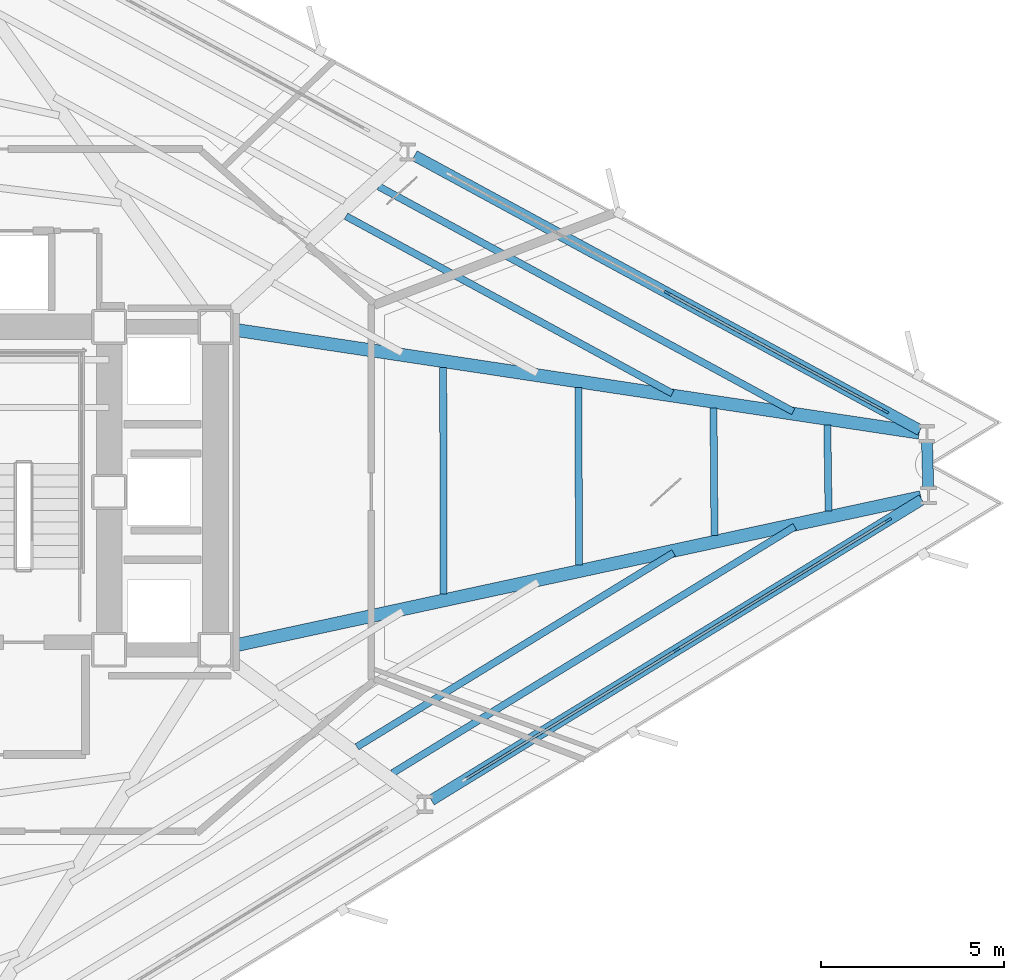
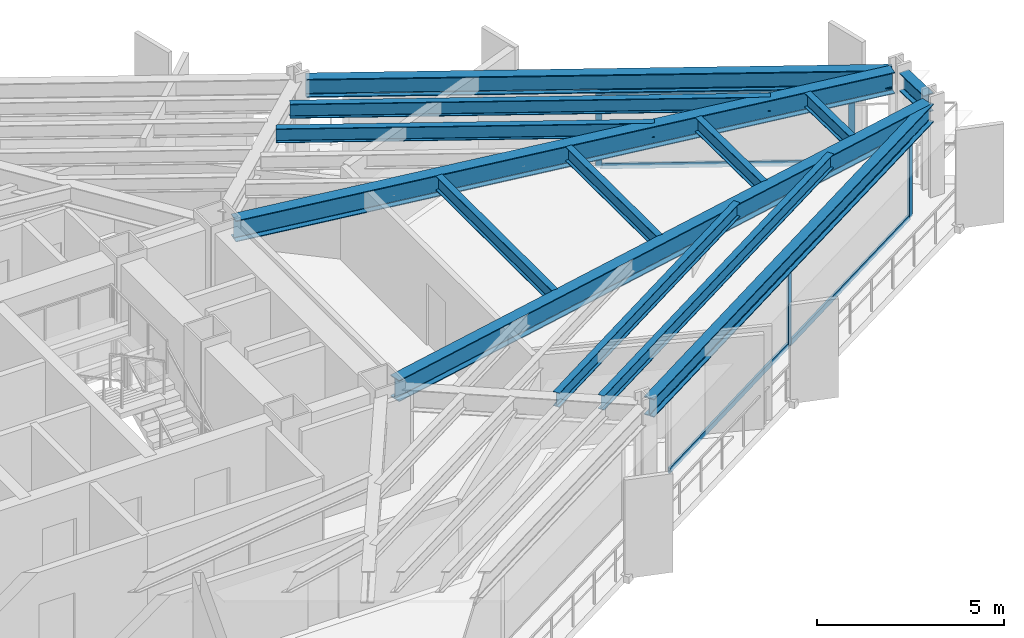
# One storey, part 4 of 14: 13 beams, 10 members, 2 elements without a shape of their own.
"""IFC4 building model written with IfcOpenShell, lengths in metres."""

from ifc_helpers import new_model, si_unit, direction, frame, origin, origin_2d, place, context, subcontext, project, spatial, rectangle, i_section, extrude, material, layer, layer_set, material_profile, profile_set, type_object, element, aggregate, save


model = new_model("IFC4")

# Units and contexts
model_context = context("Model", 3, precision=1e-05, world=origin(), true_north=direction((0.0, 1.0)))
body_context = subcontext(model_context, "Body", "Model", "MODEL_VIEW")
ifc_project = project(units=[si_unit("LENGTHUNIT", "METRE"), si_unit("AREAUNIT", "SQUARE_METRE"), si_unit("VOLUMEUNIT", "CUBIC_METRE"), si_unit("PLANEANGLEUNIT", "RADIAN"), si_unit("MASSUNIT", "GRAM", prefix="KILO")], contexts=[model_context])

# Site, building, storey
site_placement = place(None, origin())
site = spatial("IfcSite", under=ifc_project, at=site_placement, CompositionType="ELEMENT")
building_placement = place(site_placement, origin())
building = spatial("IfcBuilding", under=site, at=building_placement, Name="Rocaltana Carrier Exchange", CompositionType="ELEMENT")
storey_placement = place(building_placement, frame((0.0, 0.0, 25.60009765625)))
storey = spatial("IfcBuildingStorey", under=building, at=storey_placement, Name="L08", CompositionType="ELEMENT", Elevation=25.60009765625)

# Curtain wall, members
ifc_material_1 = material(Name="Aluminium 6063-T6", Category="aluminium")
ifc_layer = layer(ifc_material_1, 0.179931640625)
ifc_layer_set = layer_set([ifc_layer], Name="Aluminium 6063-T6")
curtain_wall_type = type_object("IfcCurtainWallType", Name="Sandstone Spandrel Unitised Curtain Wall CW-01", PredefinedType="NOTDEFINED", material=ifc_layer_set)
curtain_wall_1_placement = place(storey_placement, origin())
curtain_wall_1 = element("IfcCurtainWall", 1, at=curtain_wall_1_placement, inside=storey, type_object=curtain_wall_type, Name="L08 CW-01 Run CW-L08-F1S1", PredefinedType="NOTDEFINED")
ifc_material_2 = material(Name="Aluminium 6063-T6", Category="aluminium")
ifc_material_profile_1 = material_profile(ifc_material_2, rectangle(XDim=0.06494140625, YDim=0.179931640625, at=origin_2d()), Name="AL-65X180")
ifc_profile_set_1 = profile_set([ifc_material_profile_1], Name="Aluminium 6063-T6")
member_type_1 = type_object("IfcMemberType", Name="CW-01 Mullion AL-65X180", PredefinedType="MULLION", material=ifc_profile_set_1)
member_1_placement = place(storey_placement, frame((27.213623046875, 2.19677734375, 0.0), z_axis=(0.0, 0.0, 1.0), x_axis=(-0.477161473226, -0.878815639636, 0.0)))
member_1 = element("IfcMember", 2, at=member_1_placement, type_object=member_type_1, Name="CW-01 mullion 1", PredefinedType="MULLION", context=body_context, shape_type="SweptSolid", body=[
    extrude(rectangle(XDim=0.06494140625, YDim=0.179931640625, at=origin_2d()), origin(), (0.0, 0.0, 1.0), 2.477783203125),
])
member_2_placement = place(storey_placement, frame((21.26611328125, 5.426025390625, 0.0), z_axis=(0.0, 0.0, 1.0), x_axis=(-0.477161473226, -0.878815639636, 0.0)))
member_2 = element("IfcMember", 3, at=member_2_placement, type_object=member_type_1, Name="CW-01 mullion 2", PredefinedType="MULLION", context=body_context, shape_type="SweptSolid", body=[
    extrude(rectangle(XDim=0.06494140625, YDim=0.179931640625, at=origin_2d()), origin(), (0.0, 0.0, 1.0), 2.477783203125),
])

curtain_wall_2_placement = place(storey_placement, origin())
curtain_wall_2 = element("IfcCurtainWall", 4, at=curtain_wall_2_placement, inside=storey, type_object=curtain_wall_type, Name="L08 CW-01 Run CW-L08-F3S3", PredefinedType="NOTDEFINED")
member_3_placement = place(storey_placement, frame((21.52099609375, -4.3056640625, 0.0), z_axis=(0.0, 0.0, 1.0), x_axis=(-0.522499812415, 0.852639399762, 0.0)))
member_3 = element("IfcMember", 5, at=member_3_placement, type_object=member_type_1, Name="CW-01 mullion 2", PredefinedType="MULLION", context=body_context, shape_type="SweptSolid", body=[
    extrude(rectangle(XDim=0.06494140625, YDim=0.179931640625, at=origin_2d()), origin(), (0.0, 0.0, 1.0), 2.477783203125),
])
member_4_placement = place(storey_placement, frame((27.291259765625, -0.76953125, 0.0), z_axis=(0.0, 0.0, 1.0), x_axis=(-0.522499812415, 0.852639399762, 0.0)))
member_4 = element("IfcMember", 6, at=member_4_placement, type_object=member_type_1, Name="CW-01 mullion 3", PredefinedType="MULLION", context=body_context, shape_type="SweptSolid", body=[
    extrude(rectangle(XDim=0.06494140625, YDim=0.179931640625, at=origin_2d()), origin(), (0.0, 0.0, 1.0), 2.477783203125),
])

# Member
ifc_material_3 = material(Name="Aluminium 6063-T6", Category="aluminium")
ifc_material_profile_2 = material_profile(ifc_material_3, rectangle(XDim=0.06494140625, YDim=0.179931640625, at=origin_2d()), Name="AL-65X180")
ifc_profile_set_2 = profile_set([ifc_material_profile_2], Name="Aluminium 6063-T6")
member_type_2 = type_object("IfcMemberType", Name="CW-01 Transom AL-65X180", PredefinedType="USERDEFINED", material=ifc_profile_set_2)
member_5_placement = place(storey_placement, frame((27.18505859375, 2.21240234375, 0.032470703125), z_axis=(-0.878830739565, 0.477133661772, 0.0), x_axis=(-0.477133661772, -0.878830739565, 0.0)))
member_5 = element("IfcMember", 7, at=member_5_placement, type_object=member_type_2, Name="CW-01 transom 1.1", ObjectType="TRANSOM", PredefinedType="USERDEFINED", context=body_context, shape_type="SweptSolid", body=[
    extrude(rectangle(XDim=0.06494140625, YDim=0.179931640625, at=origin_2d()), origin(), (0.0, 0.0, 1.0), 6.70263671875),
])

member_6_placement = place(storey_placement, frame((27.18505859375, 2.21240234375, 2.4453125), z_axis=(-0.878830739565, 0.477133661772, 0.0), x_axis=(-0.477133661772, -0.878830739565, 0.0)))
member_6 = element("IfcMember", 8, at=member_6_placement, type_object=member_type_2, Name="CW-01 transom 1.2", ObjectType="TRANSOM", PredefinedType="USERDEFINED", context=body_context, shape_type="SweptSolid", body=[
    extrude(rectangle(XDim=0.06494140625, YDim=0.179931640625, at=origin_2d()), origin(), (0.0, 0.0, 1.0), 6.70263671875),
])

aggregate(curtain_wall_1, [member_1, member_2, member_5, member_6])

member_7_placement = place(storey_placement, frame((15.7783203125, -7.82470703125, 0.032470703125), z_axis=(0.85263109068, 0.522513371318, 0.0), x_axis=(-0.522513371318, 0.85263109068, 0.0)))
member_7 = element("IfcMember", 9, at=member_7_placement, type_object=member_type_2, Name="CW-01 transom 1.1", ObjectType="TRANSOM", PredefinedType="USERDEFINED", context=body_context, shape_type="SweptSolid", body=[
    extrude(rectangle(XDim=0.06494140625, YDim=0.179931640625, at=origin_2d()), origin(), (0.0, 0.0, 1.0), 6.70263671875),
])

member_8_placement = place(storey_placement, frame((15.7783203125, -7.82470703125, 2.4453125), z_axis=(0.85263109068, 0.522513371318, 0.0), x_axis=(-0.522513371318, 0.85263109068, 0.0)))
member_8 = element("IfcMember", 10, at=member_8_placement, type_object=member_type_2, Name="CW-01 transom 1.2", ObjectType="TRANSOM", PredefinedType="USERDEFINED", context=body_context, shape_type="SweptSolid", body=[
    extrude(rectangle(XDim=0.06494140625, YDim=0.179931640625, at=origin_2d()), origin(), (0.0, 0.0, 1.0), 6.70263671875),
])

member_9_placement = place(storey_placement, frame((21.548583984375, -4.28857421875, 0.032470703125), z_axis=(0.85264731822, 0.522486890488, 0.0), x_axis=(-0.522486890488, 0.85264731822, 0.0)))
member_9 = element("IfcMember", 11, at=member_9_placement, type_object=member_type_2, Name="CW-01 transom 2.1", ObjectType="TRANSOM", PredefinedType="USERDEFINED", context=body_context, shape_type="SweptSolid", body=[
    extrude(rectangle(XDim=0.06494140625, YDim=0.179931640625, at=origin_2d()), origin(), (0.0, 0.0, 1.0), 6.702392578125),
])

member_10_placement = place(storey_placement, frame((21.548583984375, -4.28857421875, 2.4453125), z_axis=(0.85264731822, 0.522486890488, 0.0), x_axis=(-0.522486890488, 0.85264731822, 0.0)))
member_10 = element("IfcMember", 12, at=member_10_placement, type_object=member_type_2, Name="CW-01 transom 2.2", ObjectType="TRANSOM", PredefinedType="USERDEFINED", context=body_context, shape_type="SweptSolid", body=[
    extrude(rectangle(XDim=0.06494140625, YDim=0.179931640625, at=origin_2d()), origin(), (0.0, 0.0, 1.0), 6.702392578125),
])

aggregate(curtain_wall_2, [member_3, member_4, member_7, member_8, member_9, member_10])

# Beams
ifc_material_4 = material(Name="Steel S355", Category="steel")
ifc_material_profile_3 = material_profile(ifc_material_4, i_section(OverallWidth=0.193115234375, OverallDepth=0.466064453125, WebThickness=0.011474609375, FlangeThickness=0.01904296875, FilletRadius=0.013916015625, at=origin_2d()), Name="W18X65")
ifc_profile_set_3 = profile_set([ifc_material_profile_3], Name="Steel S355")
beam_type_1 = type_object("IfcBeamType", Name="Floor Joist W18X65", PredefinedType="JOIST", material=ifc_profile_set_3)
beam_1_placement = place(storey_placement, frame((21.4033203125, 2.68701171875, 2.864990234375), z_axis=(-0.878818466662, 0.477156266494, 0.0), x_axis=(-0.477156266494, -0.878818466662, 0.0)))
element("IfcBeam", 13, at=beam_1_placement, inside=storey, type_object=beam_type_1, Name="FJ-L08-01-3", PredefinedType="JOIST", context=body_context, shape_type="SweptSolid", body=[
    extrude(i_section(OverallWidth=0.193115234375, OverallDepth=0.466064453125, WebThickness=0.011474609375, FlangeThickness=0.01904296875, FilletRadius=0.013916015625, at=origin_2d()), origin(), (0.0, 0.0, 1.0), 10.1220703125),
])
beam_2_placement = place(storey_placement, frame((24.69970703125, 2.19140625, 2.864990234375), z_axis=(-0.878819767198, 0.477153871181, 0.0), x_axis=(-0.477153871181, -0.878819767198, 0.0)))
element("IfcBeam", 14, at=beam_2_placement, inside=storey, type_object=beam_type_1, Name="FJ-L08-01-4", PredefinedType="JOIST", context=body_context, shape_type="SweptSolid", body=[
    extrude(i_section(OverallWidth=0.193115234375, OverallDepth=0.466064453125, WebThickness=0.011474609375, FlangeThickness=0.01904296875, FilletRadius=0.013916015625, at=origin_2d()), origin(), (0.0, 0.0, 1.0), 12.859130859375),
])
beam_3_placement = place(storey_placement, frame((12.805908203125, -6.947998046875, 2.864990234375), z_axis=(0.852634876053, 0.522507194341, 0.0), x_axis=(-0.522507194341, 0.852634876053, 0.0)))
element("IfcBeam", 15, at=beam_3_placement, inside=storey, type_object=beam_type_1, Name="FJ-L08-11-3", PredefinedType="JOIST", context=body_context, shape_type="SweptSolid", body=[
    extrude(i_section(OverallWidth=0.193115234375, OverallDepth=0.466064453125, WebThickness=0.011474609375, FlangeThickness=0.01904296875, FilletRadius=0.013916015625, at=origin_2d()), origin(), (0.0, 0.0, 1.0), 10.1220703125),
])
beam_4_placement = place(storey_placement, frame((13.776123046875, -7.6640625, 2.864990234375), z_axis=(0.852642453123, 0.522494829766, 0.0), x_axis=(-0.522494829766, 0.852642453123, 0.0)))
element("IfcBeam", 16, at=beam_4_placement, inside=storey, type_object=beam_type_1, Name="FJ-L08-11-4", PredefinedType="JOIST", context=body_context, shape_type="SweptSolid", body=[
    extrude(i_section(OverallWidth=0.193115234375, OverallDepth=0.466064453125, WebThickness=0.011474609375, FlangeThickness=0.01904296875, FilletRadius=0.013916015625, at=origin_2d()), origin(), (0.0, 0.0, 1.0), 12.85888671875),
])
beam_5_placement = place(storey_placement, frame((15.168701171875, -2.7841796875, 2.864990234375), z_axis=(-0.00213328634, 0.999997724542, 0.0), x_axis=(-0.999997724542, -0.00213328634, 0.0)))
element("IfcBeam", 17, at=beam_5_placement, inside=storey, type_object=beam_type_1, Name="FJ-L08-12-1", PredefinedType="JOIST", context=body_context, shape_type="SweptSolid", body=[
    extrude(i_section(OverallWidth=0.193115234375, OverallDepth=0.466064453125, WebThickness=0.011474609375, FlangeThickness=0.01904296875, FilletRadius=0.013916015625, at=origin_2d()), origin(), (0.0, 0.0, 1.0), 6.179931640625),
])
beam_6_placement = place(storey_placement, frame((18.861083984375, -1.986083984375, 2.864990234375), z_axis=(-0.004348884286, 0.999990543558, 0.0), x_axis=(-0.999990543558, -0.004348884286, 0.0)))
element("IfcBeam", 18, at=beam_6_placement, inside=storey, type_object=beam_type_1, Name="FJ-L08-12-2", PredefinedType="JOIST", context=body_context, shape_type="SweptSolid", body=[
    extrude(i_section(OverallWidth=0.193115234375, OverallDepth=0.466064453125, WebThickness=0.011474609375, FlangeThickness=0.01904296875, FilletRadius=0.013916015625, at=origin_2d()), origin(), (0.0, 0.0, 1.0), 4.827880859375),
])
beam_7_placement = place(storey_placement, frame((22.552978515625, -1.188232421875, 2.864990234375), z_axis=(-0.008076713655, 0.999967382816, 0.0), x_axis=(-0.999967382816, -0.008076713655, 0.0)))
element("IfcBeam", 19, at=beam_7_placement, inside=storey, type_object=beam_type_1, Name="FJ-L08-12-3", PredefinedType="JOIST", context=body_context, shape_type="SweptSolid", body=[
    extrude(i_section(OverallWidth=0.193115234375, OverallDepth=0.466064453125, WebThickness=0.011474609375, FlangeThickness=0.01904296875, FilletRadius=0.013916015625, at=origin_2d()), origin(), (0.0, 0.0, 1.0), 3.47607421875),
])
beam_8_placement = place(storey_placement, frame((25.661376953125, -0.51611328125, 2.864990234375), z_axis=(-0.014097815542, 0.99990062086, 0.0), x_axis=(-0.99990062086, -0.014097815542, 0.0)))
element("IfcBeam", 20, at=beam_8_placement, inside=storey, type_object=beam_type_1, Name="FJ-L08-12-4", PredefinedType="JOIST", context=body_context, shape_type="SweptSolid", body=[
    extrude(i_section(OverallWidth=0.193115234375, OverallDepth=0.466064453125, WebThickness=0.011474609375, FlangeThickness=0.01904296875, FilletRadius=0.013916015625, at=origin_2d()), origin(), (0.0, 0.0, 1.0), 2.337890625),
])
ifc_material_5 = material(Name="Steel S355", Category="steel")
ifc_material_profile_4 = material_profile(ifc_material_5, i_section(OverallWidth=0.35498046875, OverallDepth=0.695068359375, WebThickness=0.015380859375, FlangeThickness=0.02490234375, FilletRadius=0.01806640625, at=origin_2d()), Name="W27X146")
ifc_profile_set_4 = profile_set([ifc_material_profile_4], Name="Steel S355")
beam_type_2 = type_object("IfcBeamType", Name="Radial Girder W27X146", PredefinedType="BEAM", material=ifc_profile_set_4)
beam_9_placement = place(storey_placement, frame((9.411865234375, 4.4306640625, 2.75048828125), z_axis=(0.988886168287, -0.148674631899, 0.0), x_axis=(0.148674631899, 0.988886168287, 0.0)))
element("IfcBeam", 21, at=beam_9_placement, inside=storey, type_object=beam_type_2, Name="RG-L08-01", PredefinedType="BEAM", context=body_context, shape_type="SweptSolid", body=[
    extrude(i_section(OverallWidth=0.35498046875, OverallDepth=0.695068359375, WebThickness=0.015380859375, FlangeThickness=0.02490234375, FilletRadius=0.01806640625, at=origin_2d()), origin(), (0.0, 0.0, 1.0), 18.93359375),
])
beam_10_placement = place(storey_placement, frame((9.406494140625, -4.201416015625, 2.75048828125), z_axis=(0.977428496371, 0.211266501088, 0.0), x_axis=(-0.211266501088, 0.977428496371, 0.0)))
element("IfcBeam", 22, at=beam_10_placement, inside=storey, type_object=beam_type_2, Name="RG-L08-12", PredefinedType="BEAM", context=body_context, shape_type="SweptSolid", body=[
    extrude(i_section(OverallWidth=0.35498046875, OverallDepth=0.695068359375, WebThickness=0.015380859375, FlangeThickness=0.02490234375, FilletRadius=0.01806640625, at=origin_2d()), origin(), (0.0, 0.0, 1.0), 19.20849609375),
])
ifc_material_6 = material(Name="Steel S355", Category="steel")
ifc_material_profile_5 = material_profile(ifc_material_6, i_section(OverallWidth=0.300048828125, OverallDepth=0.60009765625, WebThickness=0.015380859375, FlangeThickness=0.030029296875, FilletRadius=0.027099609375, at=origin_2d()), Name="HEB600")
ifc_profile_set_5 = profile_set([ifc_material_profile_5], Name="Steel S355")
beam_type_3 = type_object("IfcBeamType", Name="Spandrel Edge Beam HEB600", PredefinedType="SPANDREL", material=ifc_profile_set_5)
beam_11_placement = place(storey_placement, frame((28.15771484375, 1.68408203125, 2.7978515625), z_axis=(-0.8788112834, 0.477169496269, 0.0), x_axis=(-0.477169496269, -0.8788112834, 0.0)))
element("IfcBeam", 23, at=beam_11_placement, inside=storey, type_object=beam_type_3, Name="SP-L08-01", PredefinedType="SPANDREL", context=body_context, shape_type="SweptSolid", body=[
    extrude(i_section(OverallWidth=0.300048828125, OverallDepth=0.60009765625, WebThickness=0.015380859375, FlangeThickness=0.030029296875, FilletRadius=0.027099609375, at=origin_2d()), origin(), (0.0, 0.0, 1.0), 15.683837890625),
])
beam_12_placement = place(storey_placement, frame((14.83447265625, -8.403076171875, 2.7978515625), z_axis=(0.852645545454, 0.522489783458, 0.0), x_axis=(-0.522489783458, 0.852645545454, 0.0)))
element("IfcBeam", 24, at=beam_12_placement, inside=storey, type_object=beam_type_3, Name="SP-L08-11", PredefinedType="SPANDREL", context=body_context, shape_type="SweptSolid", body=[
    extrude(i_section(OverallWidth=0.300048828125, OverallDepth=0.60009765625, WebThickness=0.015380859375, FlangeThickness=0.030029296875, FilletRadius=0.027099609375, at=origin_2d()), origin(), (0.0, 0.0, 1.0), 15.68408203125),
])
beam_13_placement = place(storey_placement, frame((28.37939453125, 0.1083984375, 2.7978515625), z_axis=(-0.026357275668, 0.999652586662, 0.0), x_axis=(-0.999652586662, -0.026357275668, 0.0)))
element("IfcBeam", 25, at=beam_13_placement, inside=storey, type_object=beam_type_3, Name="SP-L08-12", PredefinedType="SPANDREL", context=body_context, shape_type="SweptSolid", body=[
    extrude(i_section(OverallWidth=0.300048828125, OverallDepth=0.60009765625, WebThickness=0.015380859375, FlangeThickness=0.030029296875, FilletRadius=0.027099609375, at=origin_2d()), origin(), (0.0, 0.0, 1.0), 1.26904296875),
])

save(model, "model.ifc")
